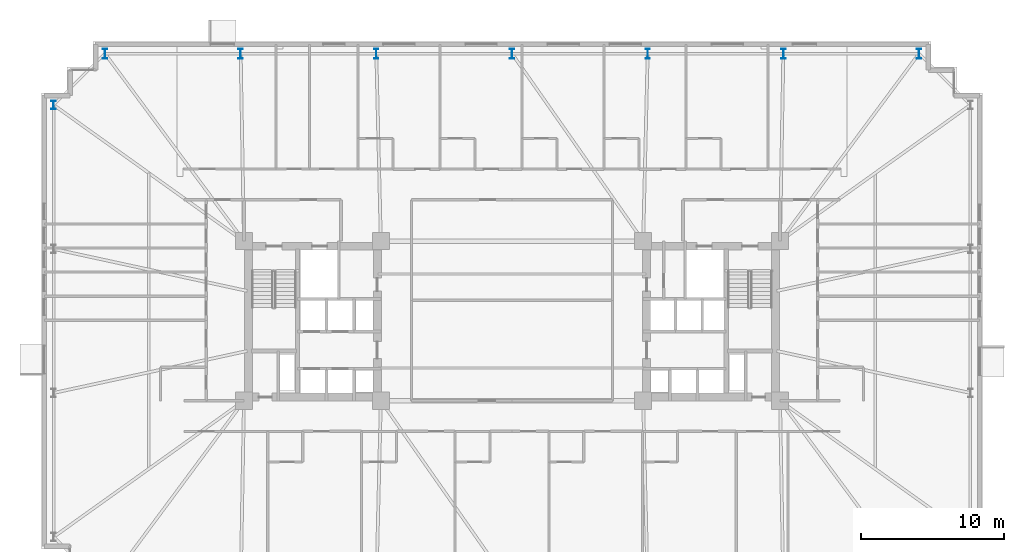
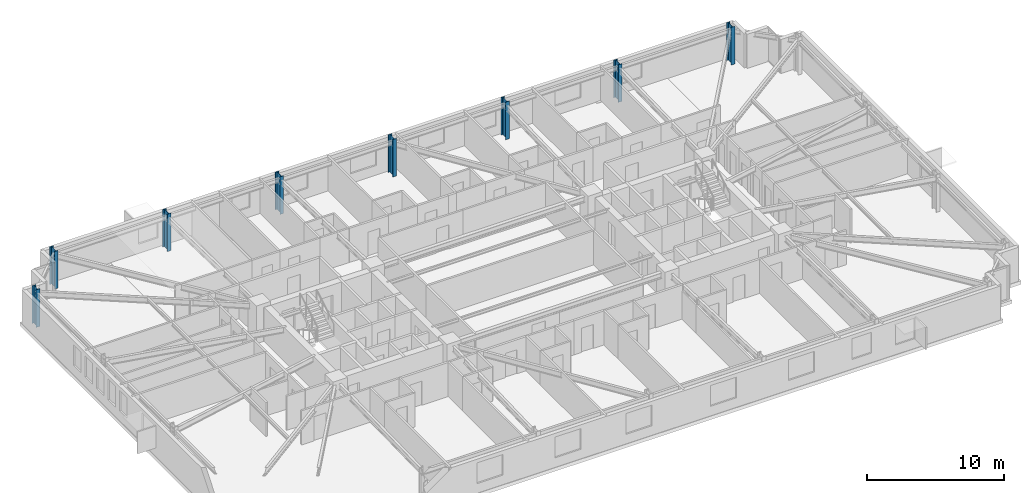
# One storey, part 2 of 22: 8 columns.
"""IFC4 building model written with IfcOpenShell, lengths in metres."""

from ifc_helpers import new_model, si_unit, direction, frame, origin, origin_2d, place, context, subcontext, project, spatial, i_section, extrude, material, material_profile, profile_set, type_object, element, save


model = new_model("IFC4")

# Units and contexts
model_context = context("Model", 3, precision=1e-05, world=origin(), true_north=direction((0.0, 1.0)))
body_context = subcontext(model_context, "Body", "Model", "MODEL_VIEW")
ifc_project = project(units=[si_unit("LENGTHUNIT", "METRE"), si_unit("AREAUNIT", "SQUARE_METRE"), si_unit("VOLUMEUNIT", "CUBIC_METRE"), si_unit("PLANEANGLEUNIT", "RADIAN"), si_unit("MASSUNIT", "GRAM", prefix="KILO")], contexts=[model_context])

# Site, building, storey
site_placement = place(None, origin())
site = spatial("IfcSite", under=ifc_project, at=site_placement, CompositionType="ELEMENT")
building_placement = place(site_placement, origin())
building = spatial("IfcBuilding", under=site, at=building_placement, Name="Qobustan Lattice House", CompositionType="ELEMENT")
storey_placement = place(building_placement, frame((0.0, 0.0, 53.800048828125)))
storey = spatial("IfcBuildingStorey", under=building, at=storey_placement, Name="L14", CompositionType="ELEMENT", Elevation=53.800048828125)

# Columns
ifc_material_1 = material(Name="Steel S460", Category="steel")
ifc_material_profile_1 = material_profile(ifc_material_1, i_section(OverallWidth=0.304931640625, OverallDepth=0.6201171875, WebThickness=0.02099609375, FlangeThickness=0.0400390625, FilletRadius=0.027099609375, at=origin_2d()), Name="HEM600")
ifc_profile_set_1 = profile_set([ifc_material_profile_1], Name="Steel S460")
column_type_1 = type_object("IfcColumnType", Name="COL-ST-HEM600", PredefinedType="COLUMN", material=ifc_profile_set_1)
column_placement = place(storey_placement, frame((-32.14990234375, 15.14990234375, 0.0), z_axis=(0.0, 0.0, 1.0), x_axis=(1.0, 0.0, 0.0)))
element("IfcColumn", 1, at=column_placement, inside=storey, type_object=column_type_1, Name="L14 B1 perimeter column W1", PredefinedType="COLUMN", context=body_context, shape_type="SweptSolid", body=[
    extrude(i_section(OverallWidth=0.304931640625, OverallDepth=0.6201171875, WebThickness=0.02099609375, FlangeThickness=0.0400390625, FilletRadius=0.027099609375, at=origin_2d()), origin(), (0.0, 0.0, 1.0), 3.349853515625),
])
ifc_material_2 = material(Name="Steel S460", Category="steel")
ifc_material_profile_2 = material_profile(ifc_material_2, i_section(OverallWidth=0.303955078125, OverallDepth=0.716064453125, WebThickness=0.02099609375, FlangeThickness=0.0400390625, FilletRadius=0.027099609375, at=origin_2d()), Name="HEM700")
ifc_profile_set_2 = profile_set([ifc_material_profile_2], Name="Steel S460")
column_type_2 = type_object("IfcColumnType", Name="COL-ST-HEM700", PredefinedType="COLUMN", material=ifc_profile_set_2)
for number, where, z_axis, x_axis, name in (
    (2, (28.550048828125, 18.75, 0.0), (0.0, 0.0, 1.0), (1.0, 0.0, 0.0), "L14 B1 perimeter column N1"),
    (3, (19.033203125, 18.75, 0.0), (0.0, 0.0, 1.0), (1.0, 0.0, 0.0), "L14 B1 perimeter column N2"),
    (4, (9.5166015625, 18.75, 0.0), (0.0, 0.0, 1.0), (1.0, 0.0, 0.0), "L14 B1 perimeter column N3"),
    (5, (0.0, 18.75, 0.0), (0.0, 0.0, 1.0), (1.0, 0.0, 0.0), "L14 B1 perimeter column N4"),
    (6, (-9.5166015625, 18.75, 0.0), (0.0, 0.0, 1.0), (1.0, 0.0, 0.0), "L14 B1 perimeter column N5"),
    (7, (-19.033203125, 18.75, 0.0), (0.0, 0.0, 1.0), (1.0, 0.0, 0.0), "L14 B1 perimeter column N6"),
    (8, (-28.550048828125, 18.75, 0.0), (0.0, 0.0, 1.0), (1.0, 0.0, 0.0), "L14 B1 perimeter column N7"),
):
    element("IfcColumn", number, at=place(storey_placement, frame(where, z_axis=z_axis, x_axis=x_axis)), inside=storey, type_object=column_type_2, Name=name, PredefinedType="COLUMN", context=body_context, shape_type="SweptSolid", body=[
        extrude(i_section(OverallWidth=0.303955078125, OverallDepth=0.716064453125, WebThickness=0.02099609375, FlangeThickness=0.0400390625, FilletRadius=0.027099609375, at=origin_2d()), origin(), (0.0, 0.0, 1.0), 3.349853515625),
    ])

save(model, "model.ifc")
